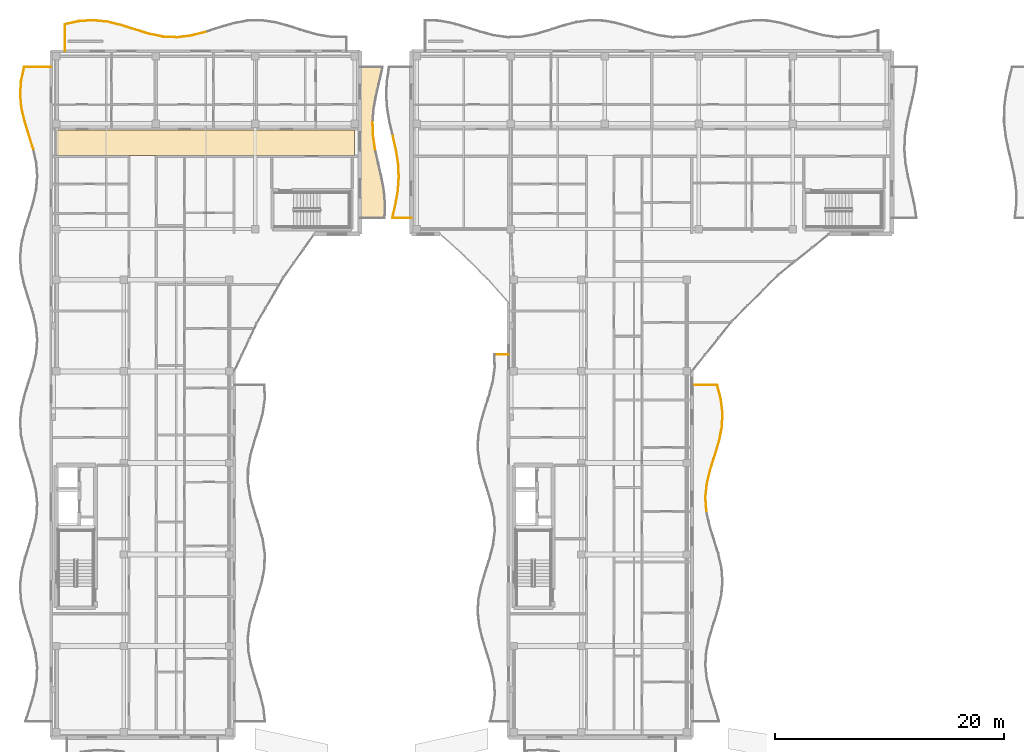
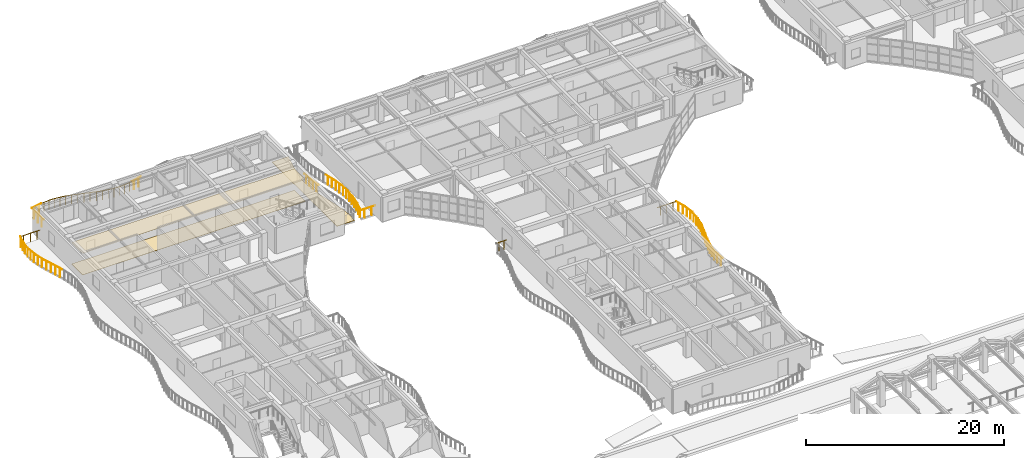
# One storey, part 114 of 128: 38 railings, 3 coverings.
"""IFC4 building model written with IfcOpenShell, lengths in metres."""

from ifc_helpers import new_model, si_unit, direction, frame, origin, origin_2d, place, context, subcontext, project, spatial, polyline, circle, outline, extrude, material, layer, layer_set, type_object, element, save


model = new_model("IFC4")

# Units and contexts
model_context = context("Model", 3, precision=1e-05, world=origin(), true_north=direction((0.0, 1.0)))
body_context = subcontext(model_context, "Body", "Model", "MODEL_VIEW")
ifc_project = project(units=[si_unit("LENGTHUNIT", "METRE"), si_unit("AREAUNIT", "SQUARE_METRE"), si_unit("VOLUMEUNIT", "CUBIC_METRE"), si_unit("PLANEANGLEUNIT", "RADIAN"), si_unit("MASSUNIT", "GRAM", prefix="KILO")], contexts=[model_context])

# Site, building, storey
site_placement = place(None, origin())
site = spatial("IfcSite", under=ifc_project, at=site_placement, CompositionType="ELEMENT")
building_placement = place(site_placement, origin())
building = spatial("IfcBuilding", under=site, at=building_placement, Name="Keldmere Railside Commons", CompositionType="ELEMENT")
storey_placement = place(building_placement, frame((0.0, 0.0, 4.159912109375)))
storey = spatial("IfcBuildingStorey", under=building, at=storey_placement, Name="L01", CompositionType="ELEMENT", Elevation=4.159912109375)

# Railings
ifc_material_1 = material(Name="Steel F-24 (S235)", Category="steel")
railing_type = type_object("IfcRailingType", Name="Balcony & Terrace Steel Balustrade 1100", PredefinedType="BALUSTRADE", material=ifc_material_1)
railing_1_placement = place(storey_placement, frame((9.199951171875, 116.0, 0.0)))
element("IfcRailing", 1, at=railing_1_placement, inside=storey, type_object=railing_type, Name="GR-1 GRD-L01-0007", PredefinedType="BALUSTRADE", context=body_context, shape_type="SweptSolid", body=[
    extrude(circle(Radius=0.02392578125, at=origin_2d()), frame((0.0, 0.0, 1.076171875), z_axis=(0.0, 1.0, 0.0), x_axis=(-1.0, 0.0, 0.0)), (0.0, 0.0, 1.0), 2.342041015625),
    extrude(circle(Radius=0.02099609375, at=origin_2d()), frame((0.0, 0.390380859375, 0.0)), (0.0, 0.0, 1.0), 1.048095703125),
    extrude(circle(Radius=0.02099609375, at=origin_2d()), frame((0.0, 1.1708984375, 0.0)), (0.0, 0.0, 1.0), 1.048095703125),
    extrude(circle(Radius=0.02099609375, at=origin_2d()), frame((0.0, 1.95166015625, 0.0)), (0.0, 0.0, 1.0), 1.048095703125),
])
railing_2_placement = place(storey_placement, frame((9.199951171875, 118.342041015625, 0.0)))
element("IfcRailing", 2, at=railing_2_placement, inside=storey, type_object=railing_type, Name="GR-1 GRD-L01-0008", PredefinedType="BALUSTRADE", context=body_context, shape_type="SweptSolid", body=[
    extrude(circle(Radius=0.02392578125, at=origin_2d()), frame((0.0, 0.0, 1.076171875), z_axis=(0.976455374361, 0.215719498147, 0.0), x_axis=(-0.215719498147, 0.976455374361, 0.0)), (0.0, 0.0, 1.0), 1.259521484375),
    extrude(circle(Radius=0.02099609375, at=origin_2d()), frame((0.3076171875, 0.06787109375, 0.0)), (0.0, 0.0, 1.0), 1.048095703125),
    extrude(circle(Radius=0.02099609375, at=origin_2d()), frame((0.92236328125, 0.203857421875, 0.0)), (0.0, 0.0, 1.0), 1.048095703125),
])
railing_3_placement = place(storey_placement, frame((10.429931640625, 118.61376953125, 0.0)))
element("IfcRailing", 3, at=railing_3_placement, inside=storey, type_object=railing_type, Name="GR-1 GRD-L01-0009", PredefinedType="BALUSTRADE", context=body_context, shape_type="SweptSolid", body=[
    extrude(circle(Radius=0.02392578125, at=origin_2d()), frame((0.0, 0.0, 1.076171875), z_axis=(0.997609190993, 0.06910790148, 0.0), x_axis=(-0.06910790148, 0.997609190993, 0.0)), (0.0, 0.0, 1.0), 1.23291015625),
    extrude(circle(Radius=0.02099609375, at=origin_2d()), frame((0.3076171875, 0.021240234375, 0.0)), (0.0, 0.0, 1.0), 1.048095703125),
    extrude(circle(Radius=0.02099609375, at=origin_2d()), frame((0.92236328125, 0.06396484375, 0.0)), (0.0, 0.0, 1.0), 1.048095703125),
])
railing_4_placement = place(storey_placement, frame((11.659912109375, 118.698974609375, 0.0)))
element("IfcRailing", 4, at=railing_4_placement, inside=storey, type_object=railing_type, Name="GR-1 GRD-L01-0010", PredefinedType="BALUSTRADE", context=body_context, shape_type="SweptSolid", body=[
    extrude(circle(Radius=0.02392578125, at=origin_2d()), frame((0.0, 0.0, 1.076171875), z_axis=(0.994835770321, -0.101497734408, 0.0), x_axis=(0.101497734408, 0.994835770321, 0.0)), (0.0, 0.0, 1.0), 1.236328125),
    extrude(circle(Radius=0.02099609375, at=origin_2d()), frame((0.3076171875, -0.03125, 0.0)), (0.0, 0.0, 1.0), 1.048095703125),
    extrude(circle(Radius=0.02099609375, at=origin_2d()), frame((0.92236328125, -0.09423828125, 0.0)), (0.0, 0.0, 1.0), 1.048095703125),
])
railing_5_placement = place(storey_placement, frame((12.889892578125, 118.573486328125, 0.0)))
element("IfcRailing", 5, at=railing_5_placement, inside=storey, type_object=railing_type, Name="GR-1 GRD-L01-0011", PredefinedType="BALUSTRADE", context=body_context, shape_type="SweptSolid", body=[
    extrude(circle(Radius=0.02392578125, at=origin_2d()), frame((0.0, 0.0, 1.076171875), z_axis=(0.971388136116, -0.237497555804, 0.0), x_axis=(0.237497555804, 0.971388136116, 0.0)), (0.0, 0.0, 1.0), 1.266357421875),
    extrude(circle(Radius=0.02099609375, at=origin_2d()), frame((0.3076171875, -0.0751953125, 0.0)), (0.0, 0.0, 1.0), 1.048095703125),
    extrude(circle(Radius=0.02099609375, at=origin_2d()), frame((0.922607421875, -0.2255859375, 0.0)), (0.0, 0.0, 1.0), 1.048095703125),
])
railing_6_placement = place(storey_placement, frame((14.1201171875, 118.272705078125, 0.0)))
element("IfcRailing", 6, at=railing_6_placement, inside=storey, type_object=railing_type, Name="GR-1 GRD-L01-0012", PredefinedType="BALUSTRADE", context=body_context, shape_type="SweptSolid", body=[
    extrude(circle(Radius=0.02392578125, at=origin_2d()), frame((0.0, 0.0, 1.076171875), z_axis=(0.952871117135, -0.303375401327, 0.0), x_axis=(0.303375401327, 0.952871117135, 0.0)), (0.0, 0.0, 1.0), 1.290771484375),
    extrude(circle(Radius=0.02099609375, at=origin_2d()), frame((0.3076171875, -0.097900390625, 0.0)), (0.0, 0.0, 1.0), 1.048095703125),
    extrude(circle(Radius=0.02099609375, at=origin_2d()), frame((0.92236328125, -0.293701171875, 0.0)), (0.0, 0.0, 1.0), 1.048095703125),
])
railing_7_placement = place(storey_placement, frame((15.35009765625, 117.881103515625, 0.0)))
element("IfcRailing", 7, at=railing_7_placement, inside=storey, type_object=railing_type, Name="GR-1 GRD-L01-0013", PredefinedType="BALUSTRADE", context=body_context, shape_type="SweptSolid", body=[
    extrude(circle(Radius=0.02392578125, at=origin_2d()), frame((0.0, 0.0, 1.076171875), z_axis=(0.957164906216, -0.289543334076, 0.0), x_axis=(0.289543334076, 0.957164906216, 0.0)), (0.0, 0.0, 1.0), 1.284912109375),
    extrude(circle(Radius=0.02099609375, at=origin_2d()), frame((0.3076171875, -0.093017578125, 0.0)), (0.0, 0.0, 1.0), 1.048095703125),
    extrude(circle(Radius=0.02099609375, at=origin_2d()), frame((0.92236328125, -0.279052734375, 0.0)), (0.0, 0.0, 1.0), 1.048095703125),
])
railing_8_placement = place(storey_placement, frame((16.580078125, 117.509033203125, 0.0)))
element("IfcRailing", 8, at=railing_8_placement, inside=storey, type_object=railing_type, Name="GR-1 GRD-L01-0014", PredefinedType="BALUSTRADE", context=body_context, shape_type="SweptSolid", body=[
    extrude(circle(Radius=0.02392578125, at=origin_2d()), frame((0.0, 0.0, 1.076171875), z_axis=(0.980227381906, -0.197874404009, 0.0), x_axis=(0.197874404009, 0.980227381906, 0.0)), (0.0, 0.0, 1.0), 1.2548828125),
    extrude(circle(Radius=0.02099609375, at=origin_2d()), frame((0.3076171875, -0.06201171875, 0.0)), (0.0, 0.0, 1.0), 1.048095703125),
    extrude(circle(Radius=0.02099609375, at=origin_2d()), frame((0.92236328125, -0.186279296875, 0.0)), (0.0, 0.0, 1.0), 1.048095703125),
])
railing_9_placement = place(storey_placement, frame((17.81005859375, 117.2607421875, 0.0)))
element("IfcRailing", 9, at=railing_9_placement, inside=storey, type_object=railing_type, Name="GR-1 GRD-L01-0015", PredefinedType="BALUSTRADE", context=body_context, shape_type="SweptSolid", body=[
    extrude(circle(Radius=0.02392578125, at=origin_2d()), frame((0.0, 0.0, 1.076171875), z_axis=(0.99902180418, -0.0442202982, 0.0), x_axis=(0.0442202982, 0.99902180418, 0.0)), (0.0, 0.0, 1.0), 1.231201171875),
    extrude(circle(Radius=0.02099609375, at=origin_2d()), frame((0.3076171875, -0.013671875, 0.0)), (0.0, 0.0, 1.0), 1.048095703125),
    extrude(circle(Radius=0.02099609375, at=origin_2d()), frame((0.92236328125, -0.040771484375, 0.0)), (0.0, 0.0, 1.0), 1.048095703125),
])
railing_10_placement = place(storey_placement, frame((19.0400390625, 117.206298828125, 0.0)))
element("IfcRailing", 10, at=railing_10_placement, inside=storey, type_object=railing_type, Name="GR-1 GRD-L01-0016", PredefinedType="BALUSTRADE", context=body_context, shape_type="SweptSolid", body=[
    extrude(circle(Radius=0.02392578125, at=origin_2d()), frame((0.0, 0.0, 1.076171875), z_axis=(0.992174520678, 0.124858802324, 0.0), x_axis=(-0.124858802324, 0.992174520678, 0.0)), (0.0, 0.0, 1.0), 1.23974609375),
    extrude(circle(Radius=0.02099609375, at=origin_2d()), frame((0.3076171875, 0.03857421875, 0.0)), (0.0, 0.0, 1.0), 1.048095703125),
    extrude(circle(Radius=0.02099609375, at=origin_2d()), frame((0.92236328125, 0.1162109375, 0.0)), (0.0, 0.0, 1.0), 1.048095703125),
])
railing_11_placement = place(storey_placement, frame((20.27001953125, 117.361083984375, 0.0)))
element("IfcRailing", 11, at=railing_11_placement, inside=storey, type_object=railing_type, Name="GR-1 GRD-L01-0017", PredefinedType="BALUSTRADE", context=body_context, shape_type="SweptSolid", body=[
    extrude(circle(Radius=0.02392578125, at=origin_2d()), frame((0.0, 0.0, 1.076171875), z_axis=(0.967723258576, 0.252015267021, 0.0), x_axis=(-0.252015267021, 0.967723258576, 0.0)), (0.0, 0.0, 1.0), 1.27099609375),
    extrude(circle(Radius=0.02099609375, at=origin_2d()), frame((0.3076171875, 0.080078125, 0.0)), (0.0, 0.0, 1.0), 1.048095703125),
    extrude(circle(Radius=0.02099609375, at=origin_2d()), frame((0.92236328125, 0.240234375, 0.0)), (0.0, 0.0, 1.0), 1.048095703125),
])
railing_12_placement = place(storey_placement, frame((6.4384765625, 107.449951171875, 0.0)))
element("IfcRailing", 12, at=railing_12_placement, inside=storey, type_object=railing_type, Name="GR-1 GRD-L01-0098", PredefinedType="BALUSTRADE", context=body_context, shape_type="SweptSolid", body=[
    extrude(circle(Radius=0.02392578125, at=origin_2d()), frame((0.0, 0.0, 1.076171875), z_axis=(-0.296793025444, 0.954941830714, 0.0), x_axis=(-0.954941830714, -0.296793025444, 0.0)), (0.0, 0.0, 1.0), 1.247802734375),
    extrude(circle(Radius=0.02099609375, at=origin_2d()), frame((-0.092529296875, 0.2978515625, 0.0)), (0.0, 0.0, 1.0), 1.048095703125),
    extrude(circle(Radius=0.02099609375, at=origin_2d()), frame((-0.27783203125, 0.893798828125, 0.0)), (0.0, 0.0, 1.0), 1.048095703125),
])
railing_13_placement = place(storey_placement, frame((6.068115234375, 108.6416015625, 0.0)))
element("IfcRailing", 13, at=railing_13_placement, inside=storey, type_object=railing_type, Name="GR-1 GRD-L01-0099", PredefinedType="BALUSTRADE", context=body_context, shape_type="SweptSolid", body=[
    extrude(circle(Radius=0.02392578125, at=origin_2d()), frame((0.0, 0.0, 1.076171875), z_axis=(-0.299999379942, 0.953939396416, 0.0), x_axis=(-0.953939396416, -0.299999379942, 0.0)), (0.0, 0.0, 1.0), 1.249267578125),
    extrude(circle(Radius=0.02099609375, at=origin_2d()), frame((-0.09375, 0.2978515625, 0.0)), (0.0, 0.0, 1.0), 1.048095703125),
    extrude(circle(Radius=0.02099609375, at=origin_2d()), frame((-0.281005859375, 0.893798828125, 0.0)), (0.0, 0.0, 1.0), 1.048095703125),
])
railing_14_placement = place(storey_placement, frame((5.693359375, 109.833251953125, 0.0)))
element("IfcRailing", 14, at=railing_14_placement, inside=storey, type_object=railing_type, Name="GR-1 GRD-L01-0100", PredefinedType="BALUSTRADE", context=body_context, shape_type="SweptSolid", body=[
    extrude(circle(Radius=0.02392578125, at=origin_2d()), frame((0.0, 0.0, 1.076171875), z_axis=(-0.229328313267, 0.973349127875, 0.0), x_axis=(-0.973349127875, -0.229328313267, 0.0)), (0.0, 0.0, 1.0), 1.224365234375),
    extrude(circle(Radius=0.02099609375, at=origin_2d()), frame((-0.0703125, 0.2978515625, 0.0)), (0.0, 0.0, 1.0), 1.048095703125),
    extrude(circle(Radius=0.02099609375, at=origin_2d()), frame((-0.21044921875, 0.893798828125, 0.0)), (0.0, 0.0, 1.0), 1.048095703125),
])
railing_15_placement = place(storey_placement, frame((5.41259765625, 111.02490234375, 0.0)))
element("IfcRailing", 15, at=railing_15_placement, inside=storey, type_object=railing_type, Name="GR-1 GRD-L01-0101", PredefinedType="BALUSTRADE", context=body_context, shape_type="SweptSolid", body=[
    extrude(circle(Radius=0.02392578125, at=origin_2d()), frame((0.0, 0.0, 1.076171875), z_axis=(-0.09360603768, 0.995609315801, 0.0), x_axis=(-0.995609315801, -0.09360603768, 0.0)), (0.0, 0.0, 1.0), 1.197265625),
    extrude(circle(Radius=0.02099609375, at=origin_2d()), frame((-0.028076171875, 0.2978515625, 0.0)), (0.0, 0.0, 1.0), 1.048095703125),
    extrude(circle(Radius=0.02099609375, at=origin_2d()), frame((-0.083984375, 0.89404296875, 0.0)), (0.0, 0.0, 1.0), 1.048095703125),
])
railing_16_placement = place(storey_placement, frame((5.300537109375, 112.216796875, 0.0)))
element("IfcRailing", 16, at=railing_16_placement, inside=storey, type_object=railing_type, Name="GR-1 GRD-L01-0102", PredefinedType="BALUSTRADE", context=body_context, shape_type="SweptSolid", body=[
    extrude(circle(Radius=0.02392578125, at=origin_2d()), frame((0.0, 0.0, 1.076171875), z_axis=(0.071944230945, 0.997408656286, 0.0), x_axis=(-0.997408656286, 0.071944230945, 0.0)), (0.0, 0.0, 1.0), 1.194580078125),
    extrude(circle(Radius=0.02099609375, at=origin_2d()), frame((0.021484375, 0.2978515625, 0.0)), (0.0, 0.0, 1.0), 1.048095703125),
    extrude(circle(Radius=0.02099609375, at=origin_2d()), frame((0.064453125, 0.8935546875, 0.0)), (0.0, 0.0, 1.0), 1.048095703125),
])
railing_17_placement = place(storey_placement, frame((5.386474609375, 113.408203125, 0.0)))
element("IfcRailing", 17, at=railing_17_placement, inside=storey, type_object=railing_type, Name="GR-1 GRD-L01-0103", PredefinedType="BALUSTRADE", context=body_context, shape_type="SweptSolid", body=[
    extrude(circle(Radius=0.02392578125, at=origin_2d()), frame((0.0, 0.0, 1.076171875), z_axis=(0.214090690898, 0.976813787818, 0.0), x_axis=(-0.976813787818, 0.214090690898, 0.0)), (0.0, 0.0, 1.0), 1.22021484375),
    extrude(circle(Radius=0.02099609375, at=origin_2d()), frame((0.0654296875, 0.2978515625, 0.0)), (0.0, 0.0, 1.0), 1.048095703125),
    extrude(circle(Radius=0.02099609375, at=origin_2d()), frame((0.19580078125, 0.89404296875, 0.0)), (0.0, 0.0, 1.0), 1.048095703125),
])
railing_18_placement = place(storey_placement, frame((5.647705078125, 114.60009765625, 0.0)))
element("IfcRailing", 18, at=railing_18_placement, inside=storey, type_object=railing_type, Name="GR-1 GRD-L01-0104", PredefinedType="BALUSTRADE", context=body_context, shape_type="SweptSolid", body=[
    extrude(circle(Radius=0.02392578125, at=origin_2d()), frame((0.0, 0.0, 1.076171875), z_axis=(1.0, 0.0, 0.0), x_axis=(0.0, 1.0, 0.0)), (0.0, 0.0, 1.0), 2.352294921875),
    extrude(circle(Radius=0.02099609375, at=origin_2d()), frame((0.39208984375, 0.0, 0.0)), (0.0, 0.0, 1.0), 1.048095703125),
    extrude(circle(Radius=0.02099609375, at=origin_2d()), frame((1.17626953125, 0.0, 0.0)), (0.0, 0.0, 1.0), 1.048095703125),
    extrude(circle(Radius=0.02099609375, at=origin_2d()), frame((1.960205078125, 0.0, 0.0)), (0.0, 0.0, 1.0), 1.048095703125),
])
railing_19_placement = place(storey_placement, frame((36.32763671875, 107.39990234375, 0.0)))
element("IfcRailing", 19, at=railing_19_placement, inside=storey, type_object=railing_type, Name="GR-1 GRD-L01-0111", PredefinedType="BALUSTRADE", context=body_context, shape_type="SweptSolid", body=[
    extrude(circle(Radius=0.02392578125, at=origin_2d()), frame((0.0, 0.0, 1.076171875), z_axis=(-0.148064999373, 0.988977631679, 0.0), x_axis=(-0.988977631679, -0.148064999373, 0.0)), (0.0, 0.0, 1.0), 1.213623046875),
    extrude(circle(Radius=0.02099609375, at=origin_2d()), frame((-0.044921875, 0.300048828125, 0.0)), (0.0, 0.0, 1.0), 1.048095703125),
    extrude(circle(Radius=0.02099609375, at=origin_2d()), frame((-0.134765625, 0.900146484375, 0.0)), (0.0, 0.0, 1.0), 1.048095703125),
])
railing_20_placement = place(storey_placement, frame((36.14794921875, 108.60009765625, 0.0)))
element("IfcRailing", 20, at=railing_20_placement, inside=storey, type_object=railing_type, Name="GR-1 GRD-L01-0112", PredefinedType="BALUSTRADE", context=body_context, shape_type="SweptSolid", body=[
    extrude(circle(Radius=0.02392578125, at=origin_2d()), frame((0.0, 0.0, 1.076171875), z_axis=(-0.037613242879, 0.999292371611, 0.0), x_axis=(-0.999292371611, -0.037613242879, 0.0)), (0.0, 0.0, 1.0), 1.20068359375),
    extrude(circle(Radius=0.02099609375, at=origin_2d()), frame((-0.01123046875, 0.300048828125, 0.0)), (0.0, 0.0, 1.0), 1.048095703125),
    extrude(circle(Radius=0.02099609375, at=origin_2d()), frame((-0.033935546875, 0.89990234375, 0.0)), (0.0, 0.0, 1.0), 1.048095703125),
])
railing_21_placement = place(storey_placement, frame((65.2841796875, 75.77490234375, 0.0)))
element("IfcRailing", 21, at=railing_21_placement, inside=storey, type_object=railing_type, Name="GR-1 GRD-L01-0841", PredefinedType="BALUSTRADE", context=body_context, shape_type="SweptSolid", body=[
    extrude(circle(Radius=0.02392578125, at=origin_2d()), frame((0.0, 0.0, 1.076171875), z_axis=(-0.067601081375, 0.997712430411, 0.0), x_axis=(-0.997712430411, -0.067601081375, 0.0)), (0.0, 0.0, 1.0), 1.22802734375),
    extrude(circle(Radius=0.02099609375, at=origin_2d()), frame((-0.020751953125, 0.30615234375, 0.0)), (0.0, 0.0, 1.0), 1.048095703125),
    extrude(circle(Radius=0.02099609375, at=origin_2d()), frame((-0.062255859375, 0.9189453125, 0.0)), (0.0, 0.0, 1.0), 1.048095703125),
])
railing_22_placement = place(storey_placement, frame((65.201171875, 77.0, 0.0)))
element("IfcRailing", 22, at=railing_22_placement, inside=storey, type_object=railing_type, Name="GR-1 GRD-L01-0842", PredefinedType="BALUSTRADE", context=body_context, shape_type="SweptSolid", body=[
    extrude(circle(Radius=0.02392578125, at=origin_2d()), frame((0.0, 0.0, 1.076171875), z_axis=(0.102290426816, 0.99475457706, 0.0), x_axis=(-0.99475457706, 0.102290426816, 0.0)), (0.0, 0.0, 1.0), 1.2314453125),
    extrude(circle(Radius=0.02099609375, at=origin_2d()), frame((0.031494140625, 0.30615234375, 0.0)), (0.0, 0.0, 1.0), 1.048095703125),
    extrude(circle(Radius=0.02099609375, at=origin_2d()), frame((0.094482421875, 0.9189453125, 0.0)), (0.0, 0.0, 1.0), 1.048095703125),
])
railing_23_placement = place(storey_placement, frame((65.3271484375, 78.22509765625, 0.0)))
element("IfcRailing", 23, at=railing_23_placement, inside=storey, type_object=railing_type, Name="GR-1 GRD-L01-0843", PredefinedType="BALUSTRADE", context=body_context, shape_type="SweptSolid", body=[
    extrude(circle(Radius=0.02392578125, at=origin_2d()), frame((0.0, 0.0, 1.076171875), z_axis=(0.237749444349, 0.971326516529, 0.0), x_axis=(-0.971326516529, 0.237749444349, 0.0)), (0.0, 0.0, 1.0), 1.260986328125),
    extrude(circle(Radius=0.02099609375, at=origin_2d()), frame((0.074951171875, 0.30615234375, 0.0)), (0.0, 0.0, 1.0), 1.048095703125),
    extrude(circle(Radius=0.02099609375, at=origin_2d()), frame((0.224853515625, 0.918701171875, 0.0)), (0.0, 0.0, 1.0), 1.048095703125),
])
railing_24_placement = place(storey_placement, frame((65.626953125, 79.449951171875, 0.0)))
element("IfcRailing", 24, at=railing_24_placement, inside=storey, type_object=railing_type, Name="GR-1 GRD-L01-0844", PredefinedType="BALUSTRADE", context=body_context, shape_type="SweptSolid", body=[
    extrude(circle(Radius=0.02392578125, at=origin_2d()), frame((0.0, 0.0, 1.076171875), z_axis=(0.303266361998, 0.952905826239, 0.0), x_axis=(-0.952905826239, 0.303266361998, 0.0)), (0.0, 0.0, 1.0), 1.28564453125),
    extrude(circle(Radius=0.02099609375, at=origin_2d()), frame((0.097412109375, 0.30615234375, 0.0)), (0.0, 0.0, 1.0), 1.048095703125),
    extrude(circle(Radius=0.02099609375, at=origin_2d()), frame((0.29248046875, 0.9189453125, 0.0)), (0.0, 0.0, 1.0), 1.048095703125),
])
railing_25_placement = place(storey_placement, frame((66.016845703125, 80.675048828125, 0.0)))
element("IfcRailing", 25, at=railing_25_placement, inside=storey, type_object=railing_type, Name="GR-1 GRD-L01-0845", PredefinedType="BALUSTRADE", context=body_context, shape_type="SweptSolid", body=[
    extrude(circle(Radius=0.02392578125, at=origin_2d()), frame((0.0, 0.0, 1.076171875), z_axis=(0.290129157827, 0.956987498235, 0.0), x_axis=(-0.956987498235, 0.290129157827, 0.0)), (0.0, 0.0, 1.0), 1.27978515625),
    extrude(circle(Radius=0.02099609375, at=origin_2d()), frame((0.0927734375, 0.30615234375, 0.0)), (0.0, 0.0, 1.0), 1.048095703125),
    extrude(circle(Radius=0.02099609375, at=origin_2d()), frame((0.278564453125, 0.918701171875, 0.0)), (0.0, 0.0, 1.0), 1.048095703125),
])
railing_26_placement = place(storey_placement, frame((66.38818359375, 81.89990234375, 0.0)))
element("IfcRailing", 26, at=railing_26_placement, inside=storey, type_object=railing_type, Name="GR-1 GRD-L01-0846", PredefinedType="BALUSTRADE", context=body_context, shape_type="SweptSolid", body=[
    extrude(circle(Radius=0.02392578125, at=origin_2d()), frame((0.0, 0.0, 1.076171875), z_axis=(0.199194724436, 0.979959928648, 0.0), x_axis=(-0.979959928648, 0.199194724436, 0.0)), (0.0, 0.0, 1.0), 1.250244140625),
    extrude(circle(Radius=0.02099609375, at=origin_2d()), frame((0.062255859375, 0.30615234375, 0.0)), (0.0, 0.0, 1.0), 1.048095703125),
    extrude(circle(Radius=0.02099609375, at=origin_2d()), frame((0.186767578125, 0.9189453125, 0.0)), (0.0, 0.0, 1.0), 1.048095703125),
])
railing_27_placement = place(storey_placement, frame((66.63720703125, 83.125, 0.0)))
element("IfcRailing", 27, at=railing_27_placement, inside=storey, type_object=railing_type, Name="GR-1 GRD-L01-0847", PredefinedType="BALUSTRADE", context=body_context, shape_type="SweptSolid", body=[
    extrude(circle(Radius=0.02392578125, at=origin_2d()), frame((0.0, 0.0, 1.076171875), z_axis=(0.046581504833, 0.998914492541, 0.0), x_axis=(-0.998914492541, 0.046581504833, 0.0)), (0.0, 0.0, 1.0), 1.226318359375),
    extrude(circle(Radius=0.02099609375, at=origin_2d()), frame((0.01416015625, 0.30615234375, 0.0)), (0.0, 0.0, 1.0), 1.048095703125),
    extrude(circle(Radius=0.02099609375, at=origin_2d()), frame((0.04296875, 0.9189453125, 0.0)), (0.0, 0.0, 1.0), 1.048095703125),
])
railing_28_placement = place(storey_placement, frame((66.6943359375, 84.35009765625, 0.0)))
element("IfcRailing", 28, at=railing_28_placement, inside=storey, type_object=railing_type, Name="GR-1 GRD-L01-0848", PredefinedType="BALUSTRADE", context=body_context, shape_type="SweptSolid", body=[
    extrude(circle(Radius=0.02392578125, at=origin_2d()), frame((0.0, 0.0, 1.076171875), z_axis=(-0.121672461258, 0.992570305909, 0.0), x_axis=(-0.992570305909, -0.121672461258, 0.0)), (0.0, 0.0, 1.0), 1.234130859375),
    extrude(circle(Radius=0.02099609375, at=origin_2d()), frame((-0.03759765625, 0.30615234375, 0.0)), (0.0, 0.0, 1.0), 1.048095703125),
    extrude(circle(Radius=0.02099609375, at=origin_2d()), frame((-0.112548828125, 0.918701171875, 0.0)), (0.0, 0.0, 1.0), 1.048095703125),
])
railing_29_placement = place(storey_placement, frame((66.544189453125, 85.574951171875, 0.0)))
element("IfcRailing", 29, at=railing_29_placement, inside=storey, type_object=railing_type, Name="GR-1 GRD-L01-0849", PredefinedType="BALUSTRADE", context=body_context, shape_type="SweptSolid", body=[
    extrude(circle(Radius=0.02392578125, at=origin_2d()), frame((0.0, 0.0, 1.076171875), z_axis=(-0.249883854896, 0.968275817659, 0.0), x_axis=(-0.968275817659, -0.249883854896, 0.0)), (0.0, 0.0, 1.0), 1.26513671875),
    extrude(circle(Radius=0.02099609375, at=origin_2d()), frame((-0.0791015625, 0.30615234375, 0.0)), (0.0, 0.0, 1.0), 1.048095703125),
    extrude(circle(Radius=0.02099609375, at=origin_2d()), frame((-0.237060546875, 0.9189453125, 0.0)), (0.0, 0.0, 1.0), 1.048095703125),
])
railing_30_placement = place(storey_placement, frame((66.22802734375, 86.800048828125, 0.0)))
element("IfcRailing", 30, at=railing_30_placement, inside=storey, type_object=railing_type, Name="GR-1 GRD-L01-0850", PredefinedType="BALUSTRADE", context=body_context, shape_type="SweptSolid", body=[
    extrude(circle(Radius=0.02392578125, at=origin_2d()), frame((0.0, 0.0, 1.076171875), z_axis=(-1.0, 0.0, 0.0), x_axis=(0.0, -1.0, 0.0)), (0.0, 0.0, 1.0), 2.22802734375),
    extrude(circle(Radius=0.02099609375, at=origin_2d()), frame((-0.371337890625, 0.0, 0.0)), (0.0, 0.0, 1.0), 1.048095703125),
    extrude(circle(Radius=0.02099609375, at=origin_2d()), frame((-1.114013671875, 0.0, 0.0)), (0.0, 0.0, 1.0), 1.048095703125),
    extrude(circle(Radius=0.02099609375, at=origin_2d()), frame((-1.856689453125, 0.0, 0.0)), (0.0, 0.0, 1.0), 1.048095703125),
])
railing_31_placement = place(storey_placement, frame((46.760009765625, 89.5, 0.0)))
element("IfcRailing", 31, at=railing_31_placement, inside=storey, type_object=railing_type, Name="GR-1 GRD-L01-0879", PredefinedType="BALUSTRADE", context=body_context, shape_type="SweptSolid", body=[
    extrude(circle(Radius=0.02392578125, at=origin_2d()), frame((0.0, 0.0, 1.076171875), z_axis=(1.0, 0.0, 0.0), x_axis=(0.0, 1.0, 0.0)), (0.0, 0.0, 1.0), 1.239990234375),
    extrude(circle(Radius=0.02099609375, at=origin_2d()), frame((0.31005859375, 0.0, 0.0)), (0.0, 0.0, 1.0), 1.048095703125),
    extrude(circle(Radius=0.02099609375, at=origin_2d()), frame((0.929931640625, 0.0, 0.0)), (0.0, 0.0, 1.0), 1.048095703125),
])
railing_32_placement = place(storey_placement, frame((39.5, 101.39990234375, 0.0)))
element("IfcRailing", 32, at=railing_32_placement, inside=storey, type_object=railing_type, Name="GR-1 GRD-L01-0893", PredefinedType="BALUSTRADE", context=body_context, shape_type="SweptSolid", body=[
    extrude(circle(Radius=0.02392578125, at=origin_2d()), frame((0.0, 0.0, 1.076171875), z_axis=(-1.0, 0.0, 0.0), x_axis=(0.0, -1.0, 0.0)), (0.0, 0.0, 1.0), 1.6728515625),
    extrude(circle(Radius=0.02099609375, at=origin_2d()), frame((-0.418212890625, 0.0, 0.0)), (0.0, 0.0, 1.0), 1.048095703125),
    extrude(circle(Radius=0.02099609375, at=origin_2d()), frame((-1.254638671875, 0.0, 0.0)), (0.0, 0.0, 1.0), 1.048095703125),
])
railing_33_placement = place(storey_placement, frame((37.8271484375, 101.39990234375, 0.0)))
element("IfcRailing", 33, at=railing_33_placement, inside=storey, type_object=railing_type, Name="GR-1 GRD-L01-0894", PredefinedType="BALUSTRADE", context=body_context, shape_type="SweptSolid", body=[
    extrude(circle(Radius=0.02392578125, at=origin_2d()), frame((0.0, 0.0, 1.076171875), z_axis=(0.225525239309, 0.974237325519, 0.0), x_axis=(-0.974237325519, 0.225525239309, 0.0)), (0.0, 0.0, 1.0), 1.23193359375),
    extrude(circle(Radius=0.02099609375, at=origin_2d()), frame((0.0693359375, 0.300048828125, 0.0)), (0.0, 0.0, 1.0), 1.048095703125),
    extrude(circle(Radius=0.02099609375, at=origin_2d()), frame((0.20849609375, 0.900146484375, 0.0)), (0.0, 0.0, 1.0), 1.048095703125),
])
railing_34_placement = place(storey_placement, frame((38.10498046875, 102.60009765625, 0.0)))
element("IfcRailing", 34, at=railing_34_placement, inside=storey, type_object=railing_type, Name="GR-1 GRD-L01-0895", PredefinedType="BALUSTRADE", context=body_context, shape_type="SweptSolid", body=[
    extrude(circle(Radius=0.02392578125, at=origin_2d()), frame((0.0, 0.0, 1.076171875), z_axis=(0.17196706336, 0.985102699783, 0.0), x_axis=(-0.985102699783, 0.17196706336, 0.0)), (0.0, 0.0, 1.0), 1.218017578125),
    extrude(circle(Radius=0.02099609375, at=origin_2d()), frame((0.05224609375, 0.300048828125, 0.0)), (0.0, 0.0, 1.0), 1.048095703125),
    extrude(circle(Radius=0.02099609375, at=origin_2d()), frame((0.1572265625, 0.89990234375, 0.0)), (0.0, 0.0, 1.0), 1.048095703125),
])
railing_35_placement = place(storey_placement, frame((38.314453125, 103.800048828125, 0.0)))
element("IfcRailing", 35, at=railing_35_placement, inside=storey, type_object=railing_type, Name="GR-1 GRD-L01-0896", PredefinedType="BALUSTRADE", context=body_context, shape_type="SweptSolid", body=[
    extrude(circle(Radius=0.02392578125, at=origin_2d()), frame((0.0, 0.0, 1.076171875), z_axis=(0.070626851772, 0.997502805915, 0.0), x_axis=(-0.997502805915, 0.070626851772, 0.0)), (0.0, 0.0, 1.0), 1.202880859375),
    extrude(circle(Radius=0.02099609375, at=origin_2d()), frame((0.021240234375, 0.300048828125, 0.0)), (0.0, 0.0, 1.0), 1.048095703125),
    extrude(circle(Radius=0.02099609375, at=origin_2d()), frame((0.063720703125, 0.89990234375, 0.0)), (0.0, 0.0, 1.0), 1.048095703125),
])
railing_36_placement = place(storey_placement, frame((38.3994140625, 105.0, 0.0)))
element("IfcRailing", 36, at=railing_36_placement, inside=storey, type_object=railing_type, Name="GR-1 GRD-L01-0897", PredefinedType="BALUSTRADE", context=body_context, shape_type="SweptSolid", body=[
    extrude(circle(Radius=0.02392578125, at=origin_2d()), frame((0.0, 0.0, 1.076171875), z_axis=(-0.051609664831, 0.998667333248, 0.0), x_axis=(-0.998667333248, -0.051609664831, 0.0)), (0.0, 0.0, 1.0), 1.20166015625),
    extrude(circle(Radius=0.02099609375, at=origin_2d()), frame((-0.015625, 0.300048828125, 0.0)), (0.0, 0.0, 1.0), 1.048095703125),
    extrude(circle(Radius=0.02099609375, at=origin_2d()), frame((-0.04638671875, 0.89990234375, 0.0)), (0.0, 0.0, 1.0), 1.048095703125),
])
railing_37_placement = place(storey_placement, frame((38.33740234375, 106.199951171875, 0.0)))
element("IfcRailing", 37, at=railing_37_placement, inside=storey, type_object=railing_type, Name="GR-1 GRD-L01-0898", PredefinedType="BALUSTRADE", context=body_context, shape_type="SweptSolid", body=[
    extrude(circle(Radius=0.02392578125, at=origin_2d()), frame((0.0, 0.0, 1.076171875), z_axis=(-0.158695579516, 0.987327561168, 0.0), x_axis=(-0.987327561168, -0.158695579516, 0.0)), (0.0, 0.0, 1.0), 1.21533203125),
    extrude(circle(Radius=0.02099609375, at=origin_2d()), frame((-0.04833984375, 0.300048828125, 0.0)), (0.0, 0.0, 1.0), 1.048095703125),
    extrude(circle(Radius=0.02099609375, at=origin_2d()), frame((-0.14453125, 0.89990234375, 0.0)), (0.0, 0.0, 1.0), 1.048095703125),
])
railing_38_placement = place(storey_placement, frame((38.14453125, 107.39990234375, 0.0)))
element("IfcRailing", 38, at=railing_38_placement, inside=storey, type_object=railing_type, Name="GR-1 GRD-L01-0899", PredefinedType="BALUSTRADE", context=body_context, shape_type="SweptSolid", body=[
    extrude(circle(Radius=0.02392578125, at=origin_2d()), frame((0.0, 0.0, 1.076171875), z_axis=(-0.220814970229, 0.975315717562, 0.0), x_axis=(-0.975315717562, -0.220814970229, 0.0)), (0.0, 0.0, 1.0), 1.23046875),
    extrude(circle(Radius=0.02099609375, at=origin_2d()), frame((-0.06787109375, 0.300048828125, 0.0)), (0.0, 0.0, 1.0), 1.048095703125),
    extrude(circle(Radius=0.02099609375, at=origin_2d()), frame((-0.203857421875, 0.900146484375, 0.0)), (0.0, 0.0, 1.0), 1.048095703125),
])

# Coverings
ifc_material_2 = material(Name="Polished Terrazzo Tile Flooring", Category="concrete")
ifc_layer_1 = layer(ifc_material_2, 0.030029296875, Name="Polished Terrazzo Floor Finish 30")
ifc_layer_set_1 = layer_set([ifc_layer_1], Name="Polished Terrazzo Tile Flooring")
covering_type_1 = type_object("IfcCoveringType", Name="Polished Terrazzo Floor Finish 30", PredefinedType="FLOORING", material=ifc_layer_set_1)
covering_1_placement = place(storey_placement, origin())
element("IfcCovering", 39, at=covering_1_placement, inside=storey, type_object=covering_type_1, Name="FLR-1 Corridor Terrazzo D-L01", PredefinedType="FLOORING", context=body_context, shape_type="SweptSolid", body=[
    extrude(outline(polyline([(8.47998046875, 106.8798828125), (34.52001953125, 106.8798828125), (34.52001953125, 109.1201171875), (8.47998046875, 109.1201171875), (8.47998046875, 106.8798828125)])), origin(), (0.0, 0.0, 1.0), 0.030029296875),
])
ifc_material_3 = material(Name="Acoustic Mineral-Fibre Gypsum Ceiling", Category="gypsum")
ifc_layer_2 = layer(ifc_material_3, 0.02490234375, Name="Suspended Acoustic Ceiling 25")
ifc_layer_set_2 = layer_set([ifc_layer_2], Name="Acoustic Mineral-Fibre Gypsum Ceiling")
covering_type_2 = type_object("IfcCoveringType", Name="Suspended Acoustic Ceiling 25", PredefinedType="CEILING", material=ifc_layer_set_2)
covering_2_placement = place(storey_placement, frame((0.0, 0.0, 2.6650390625)))
element("IfcCovering", 40, at=covering_2_placement, inside=storey, type_object=covering_type_2, Name="CLG-1 Corridor Ceiling D-L01", PredefinedType="CEILING", context=body_context, shape_type="SweptSolid", body=[
    extrude(outline(polyline([(8.47998046875, 106.8798828125), (34.52001953125, 106.8798828125), (34.52001953125, 109.1201171875), (8.47998046875, 109.1201171875), (8.47998046875, 106.8798828125)])), origin(), (0.0, 0.0, 1.0), 0.025146484375),
])
ifc_material_4 = material(Name="White Precast Concrete C35/45", Category="concrete")
ifc_layer_3 = layer(ifc_material_4, 0.044921875, Name="White Architectural Balcony Ribbon Cladding 45")
ifc_layer_set_3 = layer_set([ifc_layer_3], Name="White Precast Concrete C35/45")
covering_type_3 = type_object("IfcCoveringType", Name="White Architectural Balcony Ribbon Cladding 45", PredefinedType="FLOORING", material=ifc_layer_set_3)
covering_3_placement = place(storey_placement, origin())
element("IfcCovering", 41, at=covering_3_placement, inside=storey, type_object=covering_type_3, Name="CLG-WB D L01 WE White Balcony Ribbon", PredefinedType="FLOORING", context=body_context, shape_type="SweptSolid", body=[
    extrude(outline(polyline([(37.156982421875, 102.59912109375), (37.055908203125, 103.794677734375), (36.83544921875, 104.99169921875), (36.5546875, 106.19091796875), (36.554443359375, 106.19140625), (36.28857421875, 107.391357421875), (36.2880859375, 107.39404296875), (36.1083984375, 108.593994140625), (36.10791015625, 108.598388671875), (36.06298828125, 109.798583984375), (36.06298828125, 109.803466796875), (36.16455078125, 111.00341796875), (36.1650390625, 111.007080078125), (36.385986328125, 112.207275390625), (36.386474609375, 112.208984375), (36.66748046875, 113.408935546875), (36.922607421875, 114.56005859375), (35.0400390625, 114.56005859375), (35.0400390625, 101.43994140625), (37.113525390625, 101.43994140625), (37.156982421875, 102.59912109375)])), origin(), (0.0, 0.0, 1.0), 0.045166015625),
])

save(model, "model.ifc")
